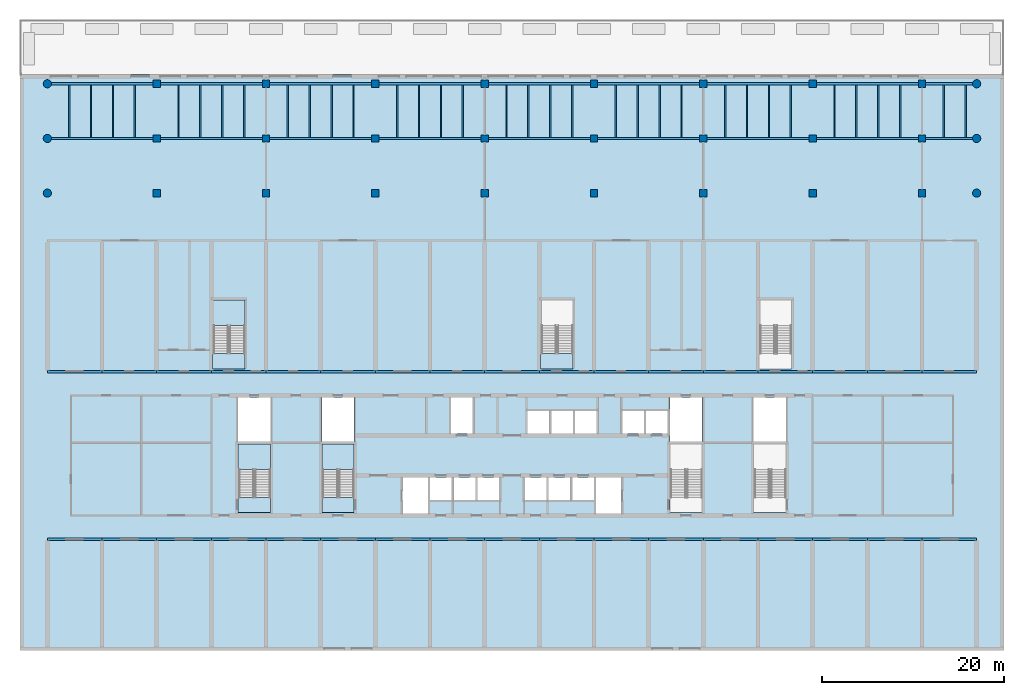
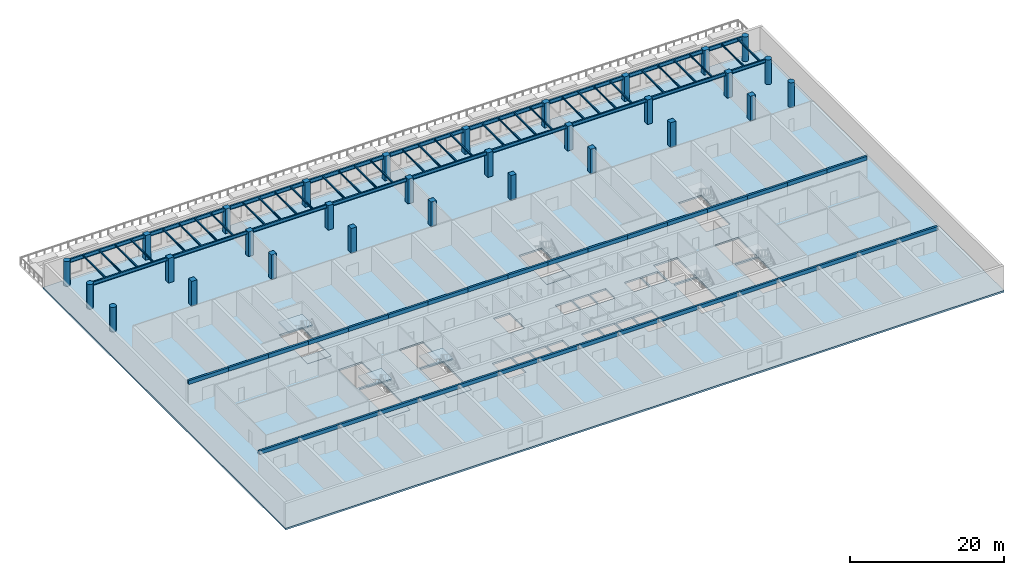
# One storey, part 1 of 15: 86 beams, 30 columns, 8 slabs, 4 elements without a shape of their own.
"""IFC4 building model written with IfcOpenShell, lengths in metres."""

from ifc_helpers import new_model, si_unit, direction, frame, origin, origin_2d, place, context, subcontext, project, spatial, polyline, rectangle, circle, i_section, outline, extrude, source, transform, mapped, material, layer, layer_set, material_profile, profile_set, type_object, element, aggregate, save


model = new_model("IFC4")

# Units and contexts
model_context = context("Model", 3, precision=1e-05, world=origin(), true_north=direction((0.0, 1.0)))
body_context = subcontext(model_context, "Body", "Model", "MODEL_VIEW")
ifc_project = project(units=[si_unit("LENGTHUNIT", "METRE"), si_unit("AREAUNIT", "SQUARE_METRE"), si_unit("VOLUMEUNIT", "CUBIC_METRE"), si_unit("PLANEANGLEUNIT", "RADIAN"), si_unit("MASSUNIT", "GRAM", prefix="KILO")], contexts=[model_context])

# Site, building, storey
site_placement = place(None, origin())
site = spatial("IfcSite", under=ifc_project, at=site_placement, CompositionType="ELEMENT")
building_placement = place(site_placement, origin())
building = spatial("IfcBuilding", under=site, at=building_placement, Name="Poui Terraces", CompositionType="ELEMENT")
storey_placement = place(building_placement, frame((0.0, 0.0, 10.800048828125)))
storey = spatial("IfcBuildingStorey", under=building, at=storey_placement, Name="L02", CompositionType="ELEMENT", Elevation=10.800048828125)

# Columns
ifc_material_1 = material(Name="Concrete 80 MPa", Category="concrete")
ifc_material_profile_1 = material_profile(ifc_material_1, circle(Radius=0.449951171875, at=origin_2d()), Name="RC D900")
ifc_profile_set_1 = profile_set([ifc_material_profile_1], Name="Concrete 80 MPa")
column_type_1 = type_object("IfcColumnType", Name="COLUMN D900 80MPa", PredefinedType="COLUMN", material=ifc_profile_set_1)
shared_shape_1 = source(origin(), body_context, "Body", "SweptSolid", [
    extrude(circle(Radius=0.449951171875, at=origin_2d()), origin(), (0.0, 0.0, 1.0), 3.919921875),
])
for number, where, z_axis, x_axis, name in (
    (1, (0.0, 62.0, 0.0), (0.0, 0.0, 1.0), (1.0, 0.0, 0.0), "COLUMN P2-1R"),
    (2, (102.0, 62.0, 0.0), (0.0, 0.0, 1.0), (1.0, 0.0, 0.0), "COLUMN P2-10R"),
    (3, (0.0, 56.0, 0.0), (0.0, 0.0, 1.0), (1.0, 0.0, 0.0), "COLUMN P3-1R"),
    (4, (102.0, 56.0, 0.0), (0.0, 0.0, 1.0), (1.0, 0.0, 0.0), "COLUMN P3-10R"),
    (5, (0.0, 50.0, 0.0), (0.0, 0.0, 1.0), (1.0, 0.0, 0.0), "COLUMN P4-1R"),
    (6, (102.0, 50.0, 0.0), (0.0, 0.0, 1.0), (1.0, 0.0, 0.0), "COLUMN P4-10R"),
):
    element("IfcColumn", number, at=place(storey_placement, frame(where, z_axis=z_axis, x_axis=x_axis)), inside=storey, type_object=column_type_1, Name=name, PredefinedType="COLUMN", context=body_context, shape_type="MappedRepresentation", body=[
        mapped(shared_shape_1, transform((0.0, 0.0, 0.0))),
    ])
ifc_material_profile_2 = material_profile(ifc_material_1, rectangle(XDim=0.800048828125, YDim=0.800048828125, at=origin_2d()), Name="RC 800x800")
ifc_profile_set_2 = profile_set([ifc_material_profile_2], Name="Concrete 80 MPa")
column_type_2 = type_object("IfcColumnType", Name="COLUMN 800x800 80MPa", PredefinedType="COLUMN", material=ifc_profile_set_2)
shared_shape_2 = source(origin(), body_context, "Body", "SweptSolid", [
    extrude(rectangle(XDim=0.800048828125, YDim=0.800048828125, at=origin_2d()), origin(), (0.0, 0.0, 1.0), 3.919921875),
])
for number, where, z_axis, x_axis, name in (
    (7, (12.0, 62.0, 0.0), (0.0, 0.0, 1.0), (1.0, 0.0, 0.0), "COLUMN P2-2"),
    (8, (24.0, 62.0, 0.0), (0.0, 0.0, 1.0), (1.0, 0.0, 0.0), "COLUMN P2-3"),
    (9, (36.0, 62.0, 0.0), (0.0, 0.0, 1.0), (1.0, 0.0, 0.0), "COLUMN P2-4"),
    (10, (48.0, 62.0, 0.0), (0.0, 0.0, 1.0), (1.0, 0.0, 0.0), "COLUMN P2-5"),
    (11, (60.0, 62.0, 0.0), (0.0, 0.0, 1.0), (1.0, 0.0, 0.0), "COLUMN P2-6"),
    (12, (72.0, 62.0, 0.0), (0.0, 0.0, 1.0), (1.0, 0.0, 0.0), "COLUMN P2-7"),
    (13, (84.0, 62.0, 0.0), (0.0, 0.0, 1.0), (1.0, 0.0, 0.0), "COLUMN P2-8"),
    (14, (96.0, 62.0, 0.0), (0.0, 0.0, 1.0), (1.0, 0.0, 0.0), "COLUMN P2-9"),
    (15, (12.0, 56.0, 0.0), (0.0, 0.0, 1.0), (1.0, 0.0, 0.0), "COLUMN P3-2"),
    (16, (24.0, 56.0, 0.0), (0.0, 0.0, 1.0), (1.0, 0.0, 0.0), "COLUMN P3-3"),
    (17, (36.0, 56.0, 0.0), (0.0, 0.0, 1.0), (1.0, 0.0, 0.0), "COLUMN P3-4"),
    (18, (48.0, 56.0, 0.0), (0.0, 0.0, 1.0), (1.0, 0.0, 0.0), "COLUMN P3-5"),
    (19, (60.0, 56.0, 0.0), (0.0, 0.0, 1.0), (1.0, 0.0, 0.0), "COLUMN P3-6"),
    (20, (72.0, 56.0, 0.0), (0.0, 0.0, 1.0), (1.0, 0.0, 0.0), "COLUMN P3-7"),
    (21, (84.0, 56.0, 0.0), (0.0, 0.0, 1.0), (1.0, 0.0, 0.0), "COLUMN P3-8"),
    (22, (96.0, 56.0, 0.0), (0.0, 0.0, 1.0), (1.0, 0.0, 0.0), "COLUMN P3-9"),
    (23, (12.0, 50.0, 0.0), (0.0, 0.0, 1.0), (1.0, 0.0, 0.0), "COLUMN P4-2"),
    (24, (24.0, 50.0, 0.0), (0.0, 0.0, 1.0), (1.0, 0.0, 0.0), "COLUMN P4-3"),
    (25, (36.0, 50.0, 0.0), (0.0, 0.0, 1.0), (1.0, 0.0, 0.0), "COLUMN P4-4"),
    (26, (48.0, 50.0, 0.0), (0.0, 0.0, 1.0), (1.0, 0.0, 0.0), "COLUMN P4-5"),
    (27, (60.0, 50.0, 0.0), (0.0, 0.0, 1.0), (1.0, 0.0, 0.0), "COLUMN P4-6"),
    (28, (72.0, 50.0, 0.0), (0.0, 0.0, 1.0), (1.0, 0.0, 0.0), "COLUMN P4-7"),
    (29, (84.0, 50.0, 0.0), (0.0, 0.0, 1.0), (1.0, 0.0, 0.0), "COLUMN P4-8"),
    (30, (96.0, 50.0, 0.0), (0.0, 0.0, 1.0), (1.0, 0.0, 0.0), "COLUMN P4-9"),
):
    element("IfcColumn", number, at=place(storey_placement, frame(where, z_axis=z_axis, x_axis=x_axis)), inside=storey, type_object=column_type_2, Name=name, PredefinedType="COLUMN", context=body_context, shape_type="MappedRepresentation", body=[
        mapped(shared_shape_2, transform((0.0, 0.0, 0.0))),
    ])

# Beams
ifc_material_profile_3 = material_profile(ifc_material_1, rectangle(XDim=0.300048828125, YDim=0.60009765625, at=origin_2d()), Name="RC 300x600")
ifc_profile_set_3 = profile_set([ifc_material_profile_3], Name="Concrete 80 MPa")
beam_type_1 = type_object("IfcBeamType", Name="COUPLING BEAM 300x600 80MPa", PredefinedType="BEAM", material=ifc_profile_set_3)
shared_shape_3 = source(origin(), body_context, "Body", "SweptSolid", [
    extrude(rectangle(XDim=0.300048828125, YDim=0.60009765625, at=origin_2d()), origin(), (0.0, 0.0, 1.0), 6.0),
])
for number, where, z_axis, x_axis, name in (
    (31, (0.0, 12.0, 3.619873046875), (1.0, 0.0, 0.0), (0.0, 1.0, 0.0), "COUPLING BEAM LINE B BAY 1"),
    (32, (6.0, 12.0, 3.619873046875), (1.0, 0.0, 0.0), (0.0, 1.0, 0.0), "COUPLING BEAM LINE B BAY 2"),
    (33, (12.0, 12.0, 3.619873046875), (1.0, 0.0, 0.0), (0.0, 1.0, 0.0), "COUPLING BEAM LINE B BAY 3"),
    (34, (18.0, 12.0, 3.619873046875), (1.0, 0.0, 0.0), (0.0, 1.0, 0.0), "COUPLING BEAM LINE B BAY 4"),
    (35, (24.0, 12.0, 3.619873046875), (1.0, 0.0, 0.0), (0.0, 1.0, 0.0), "COUPLING BEAM LINE B BAY 5"),
    (36, (30.0, 12.0, 3.619873046875), (1.0, 0.0, 0.0), (0.0, 1.0, 0.0), "COUPLING BEAM LINE B BAY 6"),
    (37, (36.0, 12.0, 3.619873046875), (1.0, 0.0, 0.0), (0.0, 1.0, 0.0), "COUPLING BEAM LINE B BAY 7"),
    (38, (42.0, 12.0, 3.619873046875), (1.0, 0.0, 0.0), (0.0, 1.0, 0.0), "COUPLING BEAM LINE B BAY 8"),
    (39, (48.0, 12.0, 3.619873046875), (1.0, 0.0, 0.0), (0.0, 1.0, 0.0), "COUPLING BEAM LINE B BAY 9"),
    (40, (54.0, 12.0, 3.619873046875), (1.0, 0.0, 0.0), (0.0, 1.0, 0.0), "COUPLING BEAM LINE B BAY 10"),
    (41, (60.0, 12.0, 3.619873046875), (1.0, 0.0, 0.0), (0.0, 1.0, 0.0), "COUPLING BEAM LINE B BAY 11"),
    (42, (66.0, 12.0, 3.619873046875), (1.0, 0.0, 0.0), (0.0, 1.0, 0.0), "COUPLING BEAM LINE B BAY 12"),
    (43, (72.0, 12.0, 3.619873046875), (1.0, 0.0, 0.0), (0.0, 1.0, 0.0), "COUPLING BEAM LINE B BAY 13"),
    (44, (78.0, 12.0, 3.619873046875), (1.0, 0.0, 0.0), (0.0, 1.0, 0.0), "COUPLING BEAM LINE B BAY 14"),
    (45, (84.0, 12.0, 3.619873046875), (1.0, 0.0, 0.0), (0.0, 1.0, 0.0), "COUPLING BEAM LINE B BAY 15"),
    (46, (90.0, 12.0, 3.619873046875), (1.0, 0.0, 0.0), (0.0, 1.0, 0.0), "COUPLING BEAM LINE B BAY 16"),
    (47, (96.0, 12.0, 3.619873046875), (1.0, 0.0, 0.0), (0.0, 1.0, 0.0), "COUPLING BEAM LINE B BAY 17"),
    (48, (0.0, 30.39990234375, 3.619873046875), (1.0, 0.0, 0.0), (0.0, 1.0, 0.0), "COUPLING BEAM LINE E BAY 1"),
    (49, (6.0, 30.39990234375, 3.619873046875), (1.0, 0.0, 0.0), (0.0, 1.0, 0.0), "COUPLING BEAM LINE E BAY 2"),
    (50, (12.0, 30.39990234375, 3.619873046875), (1.0, 0.0, 0.0), (0.0, 1.0, 0.0), "COUPLING BEAM LINE E BAY 3"),
    (51, (18.0, 30.39990234375, 3.619873046875), (1.0, 0.0, 0.0), (0.0, 1.0, 0.0), "COUPLING BEAM LINE E BAY 4"),
    (52, (24.0, 30.39990234375, 3.619873046875), (1.0, 0.0, 0.0), (0.0, 1.0, 0.0), "COUPLING BEAM LINE E BAY 5"),
    (53, (30.0, 30.39990234375, 3.619873046875), (1.0, 0.0, 0.0), (0.0, 1.0, 0.0), "COUPLING BEAM LINE E BAY 6"),
    (54, (36.0, 30.39990234375, 3.619873046875), (1.0, 0.0, 0.0), (0.0, 1.0, 0.0), "COUPLING BEAM LINE E BAY 7"),
    (55, (42.0, 30.39990234375, 3.619873046875), (1.0, 0.0, 0.0), (0.0, 1.0, 0.0), "COUPLING BEAM LINE E BAY 8"),
    (56, (48.0, 30.39990234375, 3.619873046875), (1.0, 0.0, 0.0), (0.0, 1.0, 0.0), "COUPLING BEAM LINE E BAY 9"),
    (57, (54.0, 30.39990234375, 3.619873046875), (1.0, 0.0, 0.0), (0.0, 1.0, 0.0), "COUPLING BEAM LINE E BAY 10"),
    (58, (60.0, 30.39990234375, 3.619873046875), (1.0, 0.0, 0.0), (0.0, 1.0, 0.0), "COUPLING BEAM LINE E BAY 11"),
    (59, (66.0, 30.39990234375, 3.619873046875), (1.0, 0.0, 0.0), (0.0, 1.0, 0.0), "COUPLING BEAM LINE E BAY 12"),
    (60, (72.0, 30.39990234375, 3.619873046875), (1.0, 0.0, 0.0), (0.0, 1.0, 0.0), "COUPLING BEAM LINE E BAY 13"),
    (61, (78.0, 30.39990234375, 3.619873046875), (1.0, 0.0, 0.0), (0.0, 1.0, 0.0), "COUPLING BEAM LINE E BAY 14"),
    (62, (84.0, 30.39990234375, 3.619873046875), (1.0, 0.0, 0.0), (0.0, 1.0, 0.0), "COUPLING BEAM LINE E BAY 15"),
    (63, (90.0, 30.39990234375, 3.619873046875), (1.0, 0.0, 0.0), (0.0, 1.0, 0.0), "COUPLING BEAM LINE E BAY 16"),
    (64, (96.0, 30.39990234375, 3.619873046875), (1.0, 0.0, 0.0), (0.0, 1.0, 0.0), "COUPLING BEAM LINE E BAY 17"),
):
    element("IfcBeam", number, at=place(storey_placement, frame(where, z_axis=z_axis, x_axis=x_axis)), inside=storey, type_object=beam_type_1, Name=name, PredefinedType="BEAM", context=body_context, shape_type="MappedRepresentation", body=[
        mapped(shared_shape_3, transform((0.0, 0.0, 0.0))),
    ])
ifc_material_2 = material(Name="Steel Grade 300 MPa", Category="steel")
ifc_material_profile_4 = material_profile(ifc_material_2, i_section(OverallWidth=0.22900390625, OverallDepth=0.611572265625, WebThickness=0.011962890625, FlangeThickness=0.01953125, FilletRadius=0.013916015625, at=origin_2d()), Name="610UB125")
ifc_profile_set_4 = profile_set([ifc_material_profile_4], Name="Steel Grade 300 MPa")
beam_type_2 = type_object("IfcBeamType", Name="TERRACE GIRDER 610UB125", PredefinedType="BEAM", material=ifc_profile_set_4)
shared_shape_4 = source(origin(), body_context, "Body", "SweptSolid", [
    extrude(i_section(OverallWidth=0.22900390625, OverallDepth=0.611572265625, WebThickness=0.011962890625, FlangeThickness=0.01953125, FilletRadius=0.013916015625, at=origin_2d()), origin(), (0.0, 0.0, 1.0), 11.150146484375),
])
beam_1_placement = place(storey_placement, frame((0.449951171875, 62.0, 3.6142578125), z_axis=(1.0, 0.0, 0.0), x_axis=(0.0, 1.0, 0.0)))
element("IfcBeam", 65, at=beam_1_placement, inside=storey, type_object=beam_type_2, Name="TERRACE GIRDER", PredefinedType="BEAM", context=body_context, shape_type="MappedRepresentation", body=[
    mapped(shared_shape_4, transform((0.0, 0.0, 0.0))),
])
shared_shape_5 = source(origin(), body_context, "Body", "SweptSolid", [
    extrude(i_section(OverallWidth=0.22900390625, OverallDepth=0.611572265625, WebThickness=0.011962890625, FlangeThickness=0.01953125, FilletRadius=0.013916015625, at=origin_2d()), origin(), (0.0, 0.0, 1.0), 11.2001953125),
])
for number, where, z_axis, x_axis, name in (
    (66, (12.39990234375, 62.0, 3.6142578125), (1.0, 0.0, 0.0), (0.0, 1.0, 0.0), "TERRACE GIRDER"),
    (67, (24.39990234375, 62.0, 3.6142578125), (1.0, 0.0, 0.0), (0.0, 1.0, 0.0), "TERRACE GIRDER"),
    (68, (36.39990234375, 62.0, 3.6142578125), (1.0, 0.0, 0.0), (0.0, 1.0, 0.0), "TERRACE GIRDER"),
    (69, (48.39990234375, 62.0, 3.6142578125), (1.0, 0.0, 0.0), (0.0, 1.0, 0.0), "TERRACE GIRDER"),
    (70, (60.39990234375, 62.0, 3.6142578125), (1.0, 0.0, 0.0), (0.0, 1.0, 0.0), "TERRACE GIRDER"),
    (71, (72.39990234375, 62.0, 3.6142578125), (1.0, 0.0, 0.0), (0.0, 1.0, 0.0), "TERRACE GIRDER"),
    (72, (84.39990234375, 62.0, 3.6142578125), (1.0, 0.0, 0.0), (0.0, 1.0, 0.0), "TERRACE GIRDER"),
):
    element("IfcBeam", number, at=place(storey_placement, frame(where, z_axis=z_axis, x_axis=x_axis)), inside=storey, type_object=beam_type_2, Name=name, PredefinedType="BEAM", context=body_context, shape_type="MappedRepresentation", body=[
        mapped(shared_shape_5, transform((0.0, 0.0, 0.0))),
    ])
shared_shape_6 = source(origin(), body_context, "Body", "SweptSolid", [
    extrude(i_section(OverallWidth=0.22900390625, OverallDepth=0.611572265625, WebThickness=0.011962890625, FlangeThickness=0.01953125, FilletRadius=0.013916015625, at=origin_2d()), origin(), (0.0, 0.0, 1.0), 5.150146484375),
])
beam_2_placement = place(storey_placement, frame((96.39990234375, 62.0, 3.6142578125), z_axis=(1.0, 0.0, 0.0), x_axis=(0.0, 1.0, 0.0)))
element("IfcBeam", 73, at=beam_2_placement, inside=storey, type_object=beam_type_2, Name="TERRACE GIRDER", PredefinedType="BEAM", context=body_context, shape_type="MappedRepresentation", body=[
    mapped(shared_shape_6, transform((0.0, 0.0, 0.0))),
])
ifc_material_profile_5 = material_profile(ifc_material_2, i_section(OverallWidth=0.208984375, OverallDepth=0.532958984375, WebThickness=0.01025390625, FlangeThickness=0.015625, FilletRadius=0.013916015625, at=origin_2d()), Name="530UB92.4")
ifc_profile_set_5 = profile_set([ifc_material_profile_5], Name="Steel Grade 300 MPa")
beam_type_3 = type_object("IfcBeamType", Name="TERRACE INNER GIRDER 530UB92.4", PredefinedType="BEAM", material=ifc_profile_set_5)
shared_shape_7 = source(origin(), body_context, "Body", "SweptSolid", [
    extrude(i_section(OverallWidth=0.208984375, OverallDepth=0.532958984375, WebThickness=0.01025390625, FlangeThickness=0.015625, FilletRadius=0.013916015625, at=origin_2d()), origin(), (0.0, 0.0, 1.0), 11.150146484375),
])
beam_3_placement = place(storey_placement, frame((0.449951171875, 56.0, 3.653564453125), z_axis=(1.0, 0.0, 0.0), x_axis=(0.0, 1.0, 0.0)))
element("IfcBeam", 74, at=beam_3_placement, inside=storey, type_object=beam_type_3, Name="TERRACE GIRDER", PredefinedType="BEAM", context=body_context, shape_type="MappedRepresentation", body=[
    mapped(shared_shape_7, transform((0.0, 0.0, 0.0))),
])
shared_shape_8 = source(origin(), body_context, "Body", "SweptSolid", [
    extrude(i_section(OverallWidth=0.208984375, OverallDepth=0.532958984375, WebThickness=0.01025390625, FlangeThickness=0.015625, FilletRadius=0.013916015625, at=origin_2d()), origin(), (0.0, 0.0, 1.0), 11.2001953125),
])
for number, where, z_axis, x_axis, name in (
    (75, (12.39990234375, 56.0, 3.653564453125), (1.0, 0.0, 0.0), (0.0, 1.0, 0.0), "TERRACE GIRDER"),
    (76, (24.39990234375, 56.0, 3.653564453125), (1.0, 0.0, 0.0), (0.0, 1.0, 0.0), "TERRACE GIRDER"),
    (77, (36.39990234375, 56.0, 3.653564453125), (1.0, 0.0, 0.0), (0.0, 1.0, 0.0), "TERRACE GIRDER"),
    (78, (48.39990234375, 56.0, 3.653564453125), (1.0, 0.0, 0.0), (0.0, 1.0, 0.0), "TERRACE GIRDER"),
    (79, (60.39990234375, 56.0, 3.653564453125), (1.0, 0.0, 0.0), (0.0, 1.0, 0.0), "TERRACE GIRDER"),
    (80, (72.39990234375, 56.0, 3.653564453125), (1.0, 0.0, 0.0), (0.0, 1.0, 0.0), "TERRACE GIRDER"),
    (81, (84.39990234375, 56.0, 3.653564453125), (1.0, 0.0, 0.0), (0.0, 1.0, 0.0), "TERRACE GIRDER"),
):
    element("IfcBeam", number, at=place(storey_placement, frame(where, z_axis=z_axis, x_axis=x_axis)), inside=storey, type_object=beam_type_3, Name=name, PredefinedType="BEAM", context=body_context, shape_type="MappedRepresentation", body=[
        mapped(shared_shape_8, transform((0.0, 0.0, 0.0))),
    ])
shared_shape_9 = source(origin(), body_context, "Body", "SweptSolid", [
    extrude(i_section(OverallWidth=0.208984375, OverallDepth=0.532958984375, WebThickness=0.01025390625, FlangeThickness=0.015625, FilletRadius=0.013916015625, at=origin_2d()), origin(), (0.0, 0.0, 1.0), 5.150146484375),
])
beam_4_placement = place(storey_placement, frame((96.39990234375, 56.0, 3.653564453125), z_axis=(1.0, 0.0, 0.0), x_axis=(0.0, 1.0, 0.0)))
element("IfcBeam", 82, at=beam_4_placement, inside=storey, type_object=beam_type_3, Name="TERRACE GIRDER", PredefinedType="BEAM", context=body_context, shape_type="MappedRepresentation", body=[
    mapped(shared_shape_9, transform((0.0, 0.0, 0.0))),
])
ifc_material_profile_6 = material_profile(ifc_material_2, i_section(OverallWidth=0.14599609375, OverallDepth=0.256103515625, WebThickness=0.00634765625, FlangeThickness=0.010986328125, FilletRadius=0.0087890625, at=origin_2d()), Name="250UB37.3")
ifc_profile_set_6 = profile_set([ifc_material_profile_6], Name="Steel Grade 300 MPa")
beam_type_4 = type_object("IfcBeamType", Name="TERRACE BEAM 250UB37.3", PredefinedType="BEAM", material=ifc_profile_set_6)
shared_shape_10 = source(origin(), body_context, "Body", "SweptSolid", [
    extrude(i_section(OverallWidth=0.14599609375, OverallDepth=0.256103515625, WebThickness=0.00634765625, FlangeThickness=0.010986328125, FilletRadius=0.0087890625, at=origin_2d()), origin(), (0.0, 0.0, 1.0), 5.781005859375),
])
for number, where, z_axis, x_axis, name in (
    (83, (2.39990234375, 56.1044921875, 3.791748046875), (0.0, 1.0, 0.0), (-1.0, 0.0, 0.0), "TERRACE BEAM"),
    (84, (4.800048828125, 56.1044921875, 3.791748046875), (0.0, 1.0, 0.0), (-1.0, 0.0, 0.0), "TERRACE BEAM"),
    (85, (7.199951171875, 56.1044921875, 3.791748046875), (0.0, 1.0, 0.0), (-1.0, 0.0, 0.0), "TERRACE BEAM"),
    (86, (9.60009765625, 56.1044921875, 3.791748046875), (0.0, 1.0, 0.0), (-1.0, 0.0, 0.0), "TERRACE BEAM"),
    (87, (14.39990234375, 56.1044921875, 3.791748046875), (0.0, 1.0, 0.0), (-1.0, 0.0, 0.0), "TERRACE BEAM"),
    (88, (16.800048828125, 56.1044921875, 3.791748046875), (0.0, 1.0, 0.0), (-1.0, 0.0, 0.0), "TERRACE BEAM"),
    (89, (19.199951171875, 56.1044921875, 3.791748046875), (0.0, 1.0, 0.0), (-1.0, 0.0, 0.0), "TERRACE BEAM"),
    (90, (21.60009765625, 56.1044921875, 3.791748046875), (0.0, 1.0, 0.0), (-1.0, 0.0, 0.0), "TERRACE BEAM"),
    (91, (26.39990234375, 56.1044921875, 3.791748046875), (0.0, 1.0, 0.0), (-1.0, 0.0, 0.0), "TERRACE BEAM"),
    (92, (28.800048828125, 56.1044921875, 3.791748046875), (0.0, 1.0, 0.0), (-1.0, 0.0, 0.0), "TERRACE BEAM"),
    (93, (31.199951171875, 56.1044921875, 3.791748046875), (0.0, 1.0, 0.0), (-1.0, 0.0, 0.0), "TERRACE BEAM"),
    (94, (33.60009765625, 56.1044921875, 3.791748046875), (0.0, 1.0, 0.0), (-1.0, 0.0, 0.0), "TERRACE BEAM"),
    (95, (38.39990234375, 56.1044921875, 3.791748046875), (0.0, 1.0, 0.0), (-1.0, 0.0, 0.0), "TERRACE BEAM"),
    (96, (40.800048828125, 56.1044921875, 3.791748046875), (0.0, 1.0, 0.0), (-1.0, 0.0, 0.0), "TERRACE BEAM"),
    (97, (43.199951171875, 56.1044921875, 3.791748046875), (0.0, 1.0, 0.0), (-1.0, 0.0, 0.0), "TERRACE BEAM"),
    (98, (45.60009765625, 56.1044921875, 3.791748046875), (0.0, 1.0, 0.0), (-1.0, 0.0, 0.0), "TERRACE BEAM"),
    (99, (50.39990234375, 56.1044921875, 3.791748046875), (0.0, 1.0, 0.0), (-1.0, 0.0, 0.0), "TERRACE BEAM"),
    (100, (52.800048828125, 56.1044921875, 3.791748046875), (0.0, 1.0, 0.0), (-1.0, 0.0, 0.0), "TERRACE BEAM"),
    (101, (55.199951171875, 56.1044921875, 3.791748046875), (0.0, 1.0, 0.0), (-1.0, 0.0, 0.0), "TERRACE BEAM"),
    (102, (57.60009765625, 56.1044921875, 3.791748046875), (0.0, 1.0, 0.0), (-1.0, 0.0, 0.0), "TERRACE BEAM"),
    (103, (62.39990234375, 56.1044921875, 3.791748046875), (0.0, 1.0, 0.0), (-1.0, 0.0, 0.0), "TERRACE BEAM"),
    (104, (64.800048828125, 56.1044921875, 3.791748046875), (0.0, 1.0, 0.0), (-1.0, 0.0, 0.0), "TERRACE BEAM"),
    (105, (67.199951171875, 56.1044921875, 3.791748046875), (0.0, 1.0, 0.0), (-1.0, 0.0, 0.0), "TERRACE BEAM"),
    (106, (69.60009765625, 56.1044921875, 3.791748046875), (0.0, 1.0, 0.0), (-1.0, 0.0, 0.0), "TERRACE BEAM"),
    (107, (74.39990234375, 56.1044921875, 3.791748046875), (0.0, 1.0, 0.0), (-1.0, 0.0, 0.0), "TERRACE BEAM"),
    (108, (76.800048828125, 56.1044921875, 3.791748046875), (0.0, 1.0, 0.0), (-1.0, 0.0, 0.0), "TERRACE BEAM"),
    (109, (79.199951171875, 56.1044921875, 3.791748046875), (0.0, 1.0, 0.0), (-1.0, 0.0, 0.0), "TERRACE BEAM"),
    (110, (81.60009765625, 56.1044921875, 3.791748046875), (0.0, 1.0, 0.0), (-1.0, 0.0, 0.0), "TERRACE BEAM"),
    (111, (86.39990234375, 56.1044921875, 3.791748046875), (0.0, 1.0, 0.0), (-1.0, 0.0, 0.0), "TERRACE BEAM"),
    (112, (88.800048828125, 56.1044921875, 3.791748046875), (0.0, 1.0, 0.0), (-1.0, 0.0, 0.0), "TERRACE BEAM"),
    (113, (91.199951171875, 56.1044921875, 3.791748046875), (0.0, 1.0, 0.0), (-1.0, 0.0, 0.0), "TERRACE BEAM"),
    (114, (93.60009765625, 56.1044921875, 3.791748046875), (0.0, 1.0, 0.0), (-1.0, 0.0, 0.0), "TERRACE BEAM"),
    (115, (98.39990234375, 56.1044921875, 3.791748046875), (0.0, 1.0, 0.0), (-1.0, 0.0, 0.0), "TERRACE BEAM"),
    (116, (100.800048828125, 56.1044921875, 3.791748046875), (0.0, 1.0, 0.0), (-1.0, 0.0, 0.0), "TERRACE BEAM"),
):
    element("IfcBeam", number, at=place(storey_placement, frame(where, z_axis=z_axis, x_axis=x_axis)), inside=storey, type_object=beam_type_4, Name=name, PredefinedType="BEAM", context=body_context, shape_type="MappedRepresentation", body=[
        mapped(shared_shape_10, transform((0.0, 0.0, 0.0))),
    ])

# Stair, slabs
stair_type = type_object("IfcStairType", Name="EXIT STAIR 1650 80 MPA", PredefinedType="HALF_TURN_STAIR", material=ifc_material_1)
stair_1_placement = place(storey_placement, origin())
stair_1 = element("IfcStair", 117, at=stair_1_placement, inside=storey, type_object=stair_type, Name="L02 CORE STAIR WEST", PredefinedType="HALF_TURN_STAIR")
ifc_layer_1 = layer(ifc_material_1, 0.199951171875)
ifc_layer_set_1 = layer_set([ifc_layer_1], Name="Concrete 80 MPa")
slab_type_1 = type_object("IfcSlabType", Name="STAIR LANDING 200 80 MPA", PredefinedType="LANDING", material=ifc_layer_set_1)
slab_1_placement = place(storey_placement, frame((0.0, 0.0, 1.89990234375)))
slab_1 = element("IfcSlab", 118, at=slab_1_placement, type_object=slab_type_1, Name="ST-CW landing 1", PredefinedType="LANDING", context=body_context, shape_type="SweptSolid", body=[
    extrude(outline(polyline([(30.125, 19.679931640625), (33.675048828125, 19.679931640625), (33.675048828125, 22.47509765625), (30.125, 22.47509765625), (30.125, 19.679931640625)])), origin(), (0.0, 0.0, 1.0), 0.199951171875),
])
slab_2_placement = place(storey_placement, frame((0.0, 0.0, -0.2001953125)))
slab_2 = element("IfcSlab", 119, at=slab_2_placement, type_object=slab_type_1, Name="ST-CW landing 2", PredefinedType="LANDING", context=body_context, shape_type="SweptSolid", body=[
    extrude(outline(polyline([(30.125, 14.949951171875), (33.675048828125, 14.949951171875), (33.675048828125, 16.60009765625), (30.125, 16.60009765625), (30.125, 14.949951171875)])), origin(), (0.0, 0.0, 1.0), 0.2001953125),
])
aggregate(stair_1, [slab_1, slab_2])

stair_2_placement = place(storey_placement, origin())
stair_2 = element("IfcStair", 120, at=stair_2_placement, inside=storey, type_object=stair_type, Name="L02 TIP STAIR WEST", PredefinedType="HALF_TURN_STAIR")
slab_3_placement = place(storey_placement, frame((0.0, 0.0, 1.89990234375)))
slab_3 = element("IfcSlab", 121, at=slab_3_placement, type_object=slab_type_1, Name="ST-W landing 1", PredefinedType="LANDING", context=body_context, shape_type="SweptSolid", body=[
    extrude(outline(polyline([(20.925048828125, 19.679931640625), (24.47509765625, 19.679931640625), (24.47509765625, 22.47509765625), (20.925048828125, 22.47509765625), (20.925048828125, 19.679931640625)])), origin(), (0.0, 0.0, 1.0), 0.199951171875),
])
slab_4_placement = place(storey_placement, frame((0.0, 0.0, -0.2001953125)))
slab_4 = element("IfcSlab", 122, at=slab_4_placement, type_object=slab_type_1, Name="ST-W landing 2", PredefinedType="LANDING", context=body_context, shape_type="SweptSolid", body=[
    extrude(outline(polyline([(20.925048828125, 14.949951171875), (24.47509765625, 14.949951171875), (24.47509765625, 16.60009765625), (20.925048828125, 16.60009765625), (20.925048828125, 14.949951171875)])), origin(), (0.0, 0.0, 1.0), 0.2001953125),
])
aggregate(stair_2, [slab_3, slab_4])

stair_3_placement = place(storey_placement, origin())
stair_3 = element("IfcStair", 123, at=stair_3_placement, inside=storey, type_object=stair_type, Name="L02 PODIUM STAIR 1", PredefinedType="HALF_TURN_STAIR")
slab_5_placement = place(storey_placement, frame((0.0, 0.0, 1.89990234375)))
slab_5 = element("IfcSlab", 124, at=slab_5_placement, type_object=slab_type_1, Name="ST-N1 landing 1", PredefinedType="LANDING", context=body_context, shape_type="SweptSolid", body=[
    extrude(outline(polyline([(18.125, 35.47998046875), (21.675048828125, 35.47998046875), (21.675048828125, 38.27490234375), (18.125, 38.27490234375), (18.125, 35.47998046875)])), origin(), (0.0, 0.0, 1.0), 0.199951171875),
])
slab_6_placement = place(storey_placement, frame((0.0, 0.0, -0.2001953125)))
slab_6 = element("IfcSlab", 125, at=slab_6_placement, type_object=slab_type_1, Name="ST-N1 landing 2", PredefinedType="LANDING", context=body_context, shape_type="SweptSolid", body=[
    extrude(outline(polyline([(18.125, 30.699951171875), (21.675048828125, 30.699951171875), (21.675048828125, 32.39990234375), (18.125, 32.39990234375), (18.125, 30.699951171875)])), origin(), (0.0, 0.0, 1.0), 0.2001953125),
])
aggregate(stair_3, [slab_5, slab_6])

# Stair, slab
stair_4_placement = place(storey_placement, origin())
stair_4 = element("IfcStair", 126, at=stair_4_placement, inside=storey, type_object=stair_type, Name="L02 PODIUM STAIR 3", PredefinedType="HALF_TURN_STAIR")
slab_7_placement = place(storey_placement, frame((0.0, 0.0, -0.2001953125)))
slab_7 = element("IfcSlab", 127, at=slab_7_placement, type_object=slab_type_1, Name="ST-N3 landing 2", PredefinedType="LANDING", context=body_context, shape_type="SweptSolid", body=[
    extrude(outline(polyline([(54.125, 30.699951171875), (57.675048828125, 30.699951171875), (57.675048828125, 32.39990234375), (54.125, 32.39990234375), (54.125, 30.699951171875)])), origin(), (0.0, 0.0, 1.0), 0.2001953125),
])
aggregate(stair_4, [slab_7])

# Slab
ifc_material_3 = material(Name="Concrete 40 MPa", Category="concrete")
ifc_layer_2 = layer(ifc_material_3, 0.280029296875)
ifc_layer_set_2 = layer_set([ifc_layer_2], Name="Concrete 40 MPa")
slab_type_2 = type_object("IfcSlabType", Name="FLOOR SLAB 280", PredefinedType="FLOOR", material=ifc_layer_set_2)
shared_shape_11 = source(origin(), body_context, "Body", "SweptSolid", [
    extrude(outline(polyline([(0.0, 0.0), (108.0, 0.0), (108.0, 63.199951171875), (0.0, 63.199951171875), (0.0, 0.0)]), holes=[polyline([(42.0, 15.02490234375), (42.0, 18.974853515625), (44.800048828125, 18.974853515625), (44.800048828125, 15.02490234375), (42.0, 15.02490234375)]), polyline([(45.0, 18.974853515625), (47.39990234375, 18.974853515625), (47.39990234375, 16.5), (45.0, 16.5), (45.0, 18.974853515625)]), polyline([(47.60009765625, 18.974853515625), (50.0, 18.974853515625), (50.0, 16.5), (47.60009765625, 16.5), (47.60009765625, 18.974853515625)]), polyline([(50.199951171875, 16.5), (50.199951171875, 18.974853515625), (52.60009765625, 18.974853515625), (52.60009765625, 16.5), (50.199951171875, 16.5)]), polyline([(55.39990234375, 18.974853515625), (57.800048828125, 18.974853515625), (57.800048828125, 16.5), (55.39990234375, 16.5), (55.39990234375, 18.974853515625)]), polyline([(27.47509765625, 22.64990234375), (27.47509765625, 16.800048828125), (27.47509765625, 15.14990234375), (23.925048828125, 15.14990234375), (23.925048828125, 16.800048828125), (24.02490234375, 16.800048828125), (24.02490234375, 22.64990234375), (27.47509765625, 22.64990234375)]), polyline([(33.22509765625, 22.64990234375), (36.675048828125, 22.64990234375), (36.675048828125, 16.800048828125), (36.675048828125, 15.14990234375), (33.125, 15.14990234375), (33.125, 16.800048828125), (33.22509765625, 16.800048828125), (33.22509765625, 22.64990234375)]), polyline([(55.699951171875, 26.300048828125), (58.10009765625, 26.300048828125), (58.10009765625, 23.824951171875), (55.699951171875, 23.824951171875), (55.699951171875, 26.300048828125)]), polyline([(23.925048828125, 27.77490234375), (27.47509765625, 27.77490234375), (27.47509765625, 22.925048828125), (23.925048828125, 22.925048828125), (23.925048828125, 27.77490234375)]), polyline([(33.125, 22.925048828125), (33.125, 27.77490234375), (36.675048828125, 27.77490234375), (36.675048828125, 22.925048828125), (33.125, 22.925048828125)]), polyline([(47.300048828125, 27.77490234375), (49.699951171875, 27.77490234375), (49.699951171875, 23.824951171875), (47.300048828125, 23.824951171875), (47.300048828125, 27.77490234375)]), polyline([(24.675048828125, 38.449951171875), (24.675048828125, 32.599853515625), (24.675048828125, 30.89990234375), (21.125, 30.89990234375), (21.125, 32.599853515625), (21.22509765625, 32.599853515625), (21.22509765625, 38.449951171875), (24.675048828125, 38.449951171875)]), polyline([(57.22509765625, 38.449951171875), (60.675048828125, 38.449951171875), (60.675048828125, 32.599853515625), (60.675048828125, 30.89990234375), (57.125, 30.89990234375), (57.125, 32.599853515625), (57.22509765625, 32.599853515625), (57.22509765625, 38.449951171875)]), polyline([(63.199951171875, 18.974853515625), (66.0, 18.974853515625), (66.0, 15.02490234375), (63.199951171875, 15.02490234375), (63.199951171875, 18.974853515625)]), polyline([(58.0, 18.974853515625), (60.39990234375, 18.974853515625), (60.39990234375, 16.5), (58.0, 16.5), (58.0, 18.974853515625)]), polyline([(60.60009765625, 16.5), (60.60009765625, 18.974853515625), (63.0, 18.974853515625), (63.0, 16.5), (60.60009765625, 16.5)]), polyline([(74.875, 22.64990234375), (74.875, 16.800048828125), (74.875, 15.14990234375), (71.324951171875, 15.14990234375), (71.324951171875, 16.800048828125), (71.425048828125, 16.800048828125), (71.425048828125, 22.64990234375), (74.875, 22.64990234375)]), polyline([(84.074951171875, 22.64990234375), (84.074951171875, 16.800048828125), (84.074951171875, 15.14990234375), (80.52490234375, 15.14990234375), (80.52490234375, 16.800048828125), (80.625, 16.800048828125), (80.625, 22.64990234375), (84.074951171875, 22.64990234375)]), polyline([(58.300048828125, 23.824951171875), (58.300048828125, 26.300048828125), (60.699951171875, 26.300048828125), (60.699951171875, 23.824951171875), (58.300048828125, 23.824951171875)]), polyline([(60.89990234375, 26.300048828125), (63.300048828125, 26.300048828125), (63.300048828125, 23.824951171875), (60.89990234375, 23.824951171875), (60.89990234375, 26.300048828125)]), polyline([(66.10009765625, 26.300048828125), (68.5, 26.300048828125), (68.5, 23.824951171875), (66.10009765625, 23.824951171875), (66.10009765625, 26.300048828125)]), polyline([(68.699951171875, 26.300048828125), (71.10009765625, 26.300048828125), (71.10009765625, 23.824951171875), (68.699951171875, 23.824951171875), (68.699951171875, 26.300048828125)]), polyline([(71.324951171875, 27.77490234375), (74.875, 27.77490234375), (74.875, 22.925048828125), (71.324951171875, 22.925048828125), (71.324951171875, 27.77490234375)]), polyline([(80.52490234375, 27.77490234375), (84.074951171875, 27.77490234375), (84.074951171875, 22.925048828125), (80.52490234375, 22.925048828125), (80.52490234375, 27.77490234375)]), polyline([(84.675048828125, 38.449951171875), (84.675048828125, 32.599853515625), (84.675048828125, 30.89990234375), (81.125, 30.89990234375), (81.125, 32.599853515625), (81.22509765625, 32.599853515625), (81.22509765625, 38.449951171875), (84.675048828125, 38.449951171875)])]), origin(), (0.0, 0.0, 1.0), 0.2802734375),
])
slab_8_placement = place(storey_placement, frame((-3.0, -0.199951171875, -0.2802734375)))
element("IfcSlab", 128, at=slab_8_placement, inside=storey, type_object=slab_type_2, Name="FLOOR SLAB", PredefinedType="FLOOR", context=body_context, shape_type="MappedRepresentation", body=[
    mapped(shared_shape_11, transform((0.0, 0.0, 0.0))),
])

save(model, "model.ifc")
